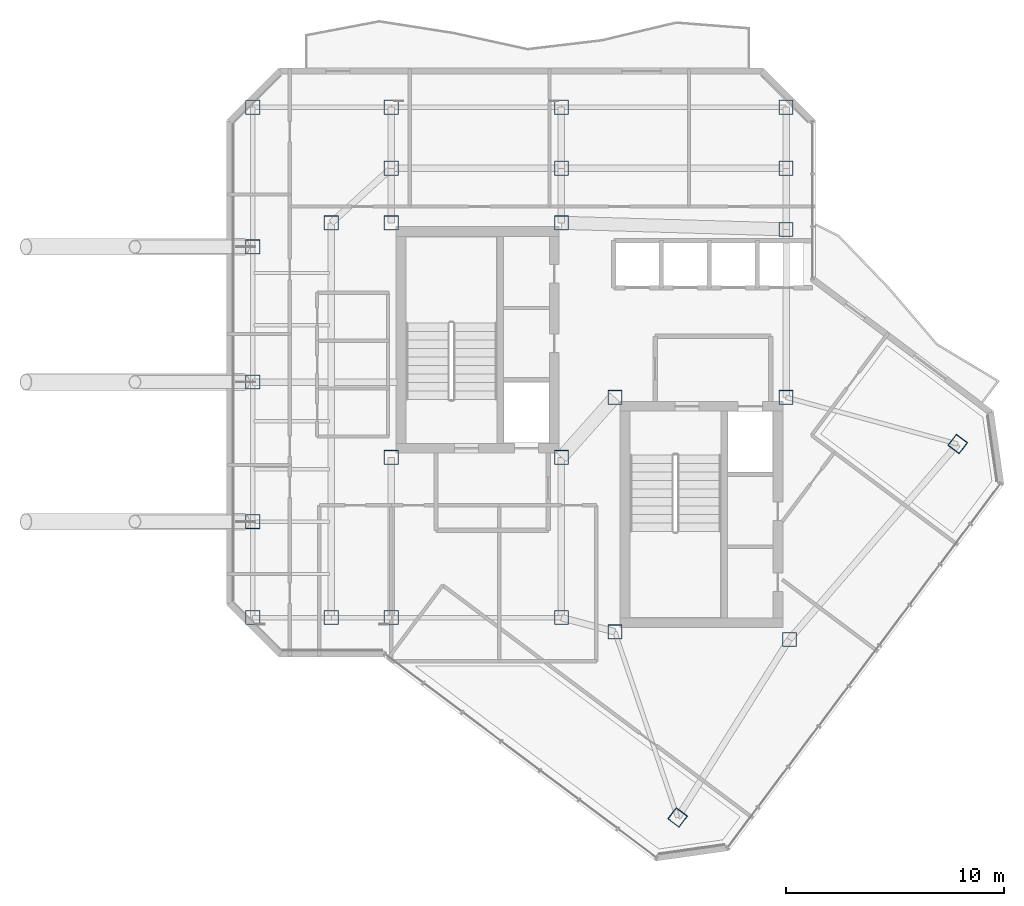
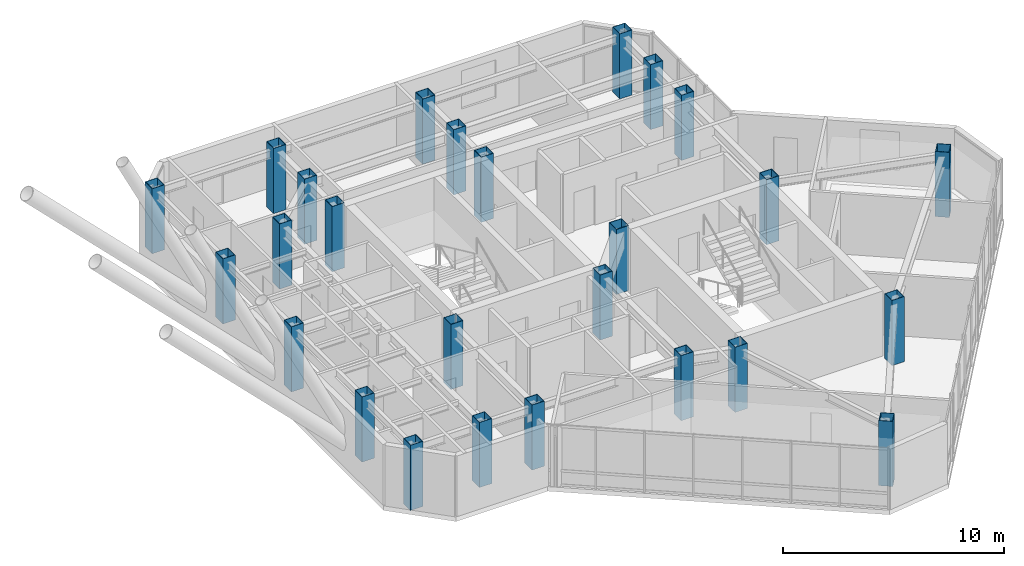
# One storey, part 1 of 21: 26 columns.
"""IFC4 building model written with IfcOpenShell, lengths in metres."""

from ifc_helpers import new_model, si_unit, direction, frame, origin, origin_2d, place, context, subcontext, project, spatial, hollow_rectangle, extrude, material, material_profile, profile_set, type_object, element, save


model = new_model("IFC4")

# Units and contexts
model_context = context("Model", 3, precision=1e-05, world=origin(), true_north=direction((0.0, 1.0)))
body_context = subcontext(model_context, "Body", "Model", "MODEL_VIEW")
ifc_project = project(units=[si_unit("LENGTHUNIT", "METRE"), si_unit("AREAUNIT", "SQUARE_METRE"), si_unit("VOLUMEUNIT", "CUBIC_METRE"), si_unit("PLANEANGLEUNIT", "RADIAN"), si_unit("MASSUNIT", "GRAM", prefix="KILO")], contexts=[model_context])

# Site, building, storey
site_placement = place(None, origin())
site = spatial("IfcSite", under=ifc_project, at=site_placement, CompositionType="ELEMENT")
building_placement = place(site_placement, origin())
building = spatial("IfcBuilding", under=site, at=building_placement, Name="Hatsunagi Terrace Concourse", CompositionType="ELEMENT")
storey_placement = place(building_placement, frame((0.0, 0.0, 246.75)))
storey = spatial("IfcBuildingStorey", under=building, at=storey_placement, Name="L65", CompositionType="ELEMENT", Elevation=246.75)

# Columns
ifc_material = material(Name="Steel BCP325T", Category="steel")
ifc_material_profile = material_profile(ifc_material, hollow_rectangle(XDim=0.64990234375, YDim=0.64990234375, WallThickness=0.02490234375, at=origin_2d()), Name="BCP-650x650x25")
ifc_profile_set = profile_set([ifc_material_profile], Name="Steel BCP325T")
column_type = type_object("IfcColumnType", Name="TowerBoxColumn_650x650x25", PredefinedType="COLUMN", material=ifc_profile_set)
for number, where, z_axis, x_axis, name in (
    (1, (25.550048828125, 32.550048828125, 0.0), (0.0, 0.0, 1.0), (1.0, 0.0, 0.0), "Column C-09 L65-CASW"),
    (2, (33.35009765625, 32.550048828125, 0.0), (0.0, 0.0, 1.0), (1.0, 0.0, 0.0), "Column C-09 L65-CASE"),
    (3, (25.550048828125, 43.300048828125, 0.0), (0.0, 0.0, 1.0), (1.0, 0.0, 0.0), "Column C-09 L65-CANW"),
    (4, (33.35009765625, 43.300048828125, 0.0), (0.0, 0.0, 1.0), (1.0, 0.0, 0.0), "Column C-09 L65-CANE"),
    (5, (35.800048828125, 24.550048828125, 0.0), (0.0, 0.0, 1.0), (1.0, 0.0, 0.0), "Column C-09 L65-CBSW"),
    (6, (43.800048828125, 24.199951171875, 0.0), (0.0, 0.0, 1.0), (1.0, 0.0, 0.0), "Column C-09 L65-CBSE"),
    (7, (35.800048828125, 35.300048828125, 0.0), (0.0, 0.0, 1.0), (1.0, 0.0, 0.0), "Column C-09 L65-CBNW"),
    (8, (43.64990234375, 35.300048828125, 0.0), (0.0, 0.0, 1.0), (1.0, 0.0, 0.0), "Column C-09 L65-CBNE"),
    (9, (25.550048828125, 25.199951171875, 0.0), (0.0, 0.0, 1.0), (1.0, 0.0, 0.0), "Column C-09 L65-K1"),
    (10, (33.35009765625, 25.199951171875, 0.0), (0.0, 0.0, 1.0), (1.0, 0.0, 0.0), "Column C-09 L65-K2"),
    (11, (43.64990234375, 43.0, 0.0), (0.0, 0.0, 1.0), (1.0, 0.0, 0.0), "Column C-09 L65-K3"),
    (12, (25.550048828125, 45.800048828125, 0.0), (0.0, 0.0, 1.0), (1.0, 0.0, 0.0), "Column C-09 L65-CN1"),
    (13, (33.35009765625, 45.800048828125, 0.0), (0.0, 0.0, 1.0), (1.0, 0.0, 0.0), "Column C-09 L65-CN2"),
    (14, (43.64990234375, 45.800048828125, 0.0), (0.0, 0.0, 1.0), (1.0, 0.0, 0.0), "Column C-09 L65-CN3"),
    (15, (19.199951171875, 48.60009765625, 0.0), (0.0, 0.0, 1.0), (1.0, 0.0, 0.0), "Column C-09 L65-WN3"),
    (16, (25.550048828125, 48.60009765625, 0.0), (0.0, 0.0, 1.0), (1.0, 0.0, 0.0), "Column C-09 L65-WN4"),
    (17, (33.35009765625, 48.60009765625, 0.0), (0.0, 0.0, 1.0), (1.0, 0.0, 0.0), "Column C-09 L65-WN5"),
    (18, (43.64990234375, 48.60009765625, 0.0), (0.0, 0.0, 1.0), (1.0, 0.0, 0.0), "Column C-09 L65-WN6"),
    (19, (19.199951171875, 25.199951171875, 0.0), (0.0, 0.0, 1.0), (1.0, 0.0, 0.0), "Column C-09 L65-WS3"),
    (20, (19.199951171875, 29.60009765625, 0.0), (0.0, 0.0, 1.0), (1.0, 0.0, 0.0), "Column C-09 L65-WR1"),
    (21, (19.199951171875, 42.199951171875, 0.0), (0.0, 0.0, 1.0), (1.0, 0.0, 0.0), "Column C-09 L65-WR2"),
    (22, (22.800048828125, 25.199951171875, 0.0), (0.0, 0.0, 1.0), (1.0, 0.0, 0.0), "Column C-09 L65-CW1"),
    (23, (22.800048828125, 43.300048828125, 0.0), (0.0, 0.0, 1.0), (1.0, 0.0, 0.0), "Column C-09 L65-CW2"),
    (24, (19.199951171875, 36.0, 0.0), (0.0, 0.0, 1.0), (1.0, 0.0, 0.0), "Column C-09 L65-WT2"),
    (25, (38.679931640625, 16.0400390625, 0.0), (0.0, 0.0, 1.0), (0.799999996291, -0.600000004945, 0.0), "Column C-09 L65-SES1"),
    (26, (51.52001953125, 33.159912109375, 0.0), (0.0, 0.0, 1.0), (0.799999996291, -0.600000004945, 0.0), "Column C-09 L65-SEN1"),
):
    element("IfcColumn", number, at=place(storey_placement, frame(where, z_axis=z_axis, x_axis=x_axis)), inside=storey, type_object=column_type, Name=name, PredefinedType="COLUMN", context=body_context, shape_type="SweptSolid", body=[
        extrude(hollow_rectangle(XDim=0.64990234375, YDim=0.64990234375, WallThickness=0.02490234375, at=origin_2d()), origin(), (0.0, 0.0, 1.0), 3.60009765625),
    ])

save(model, "model.ifc")
